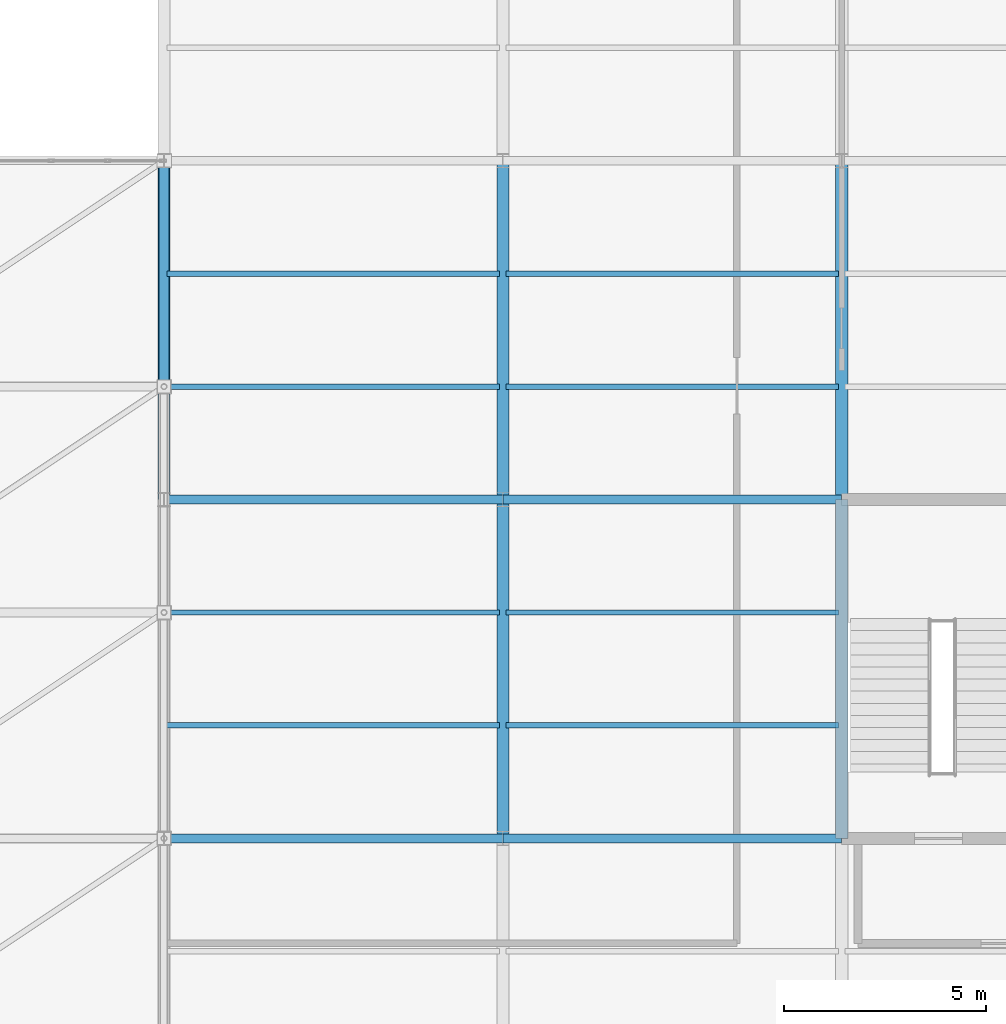
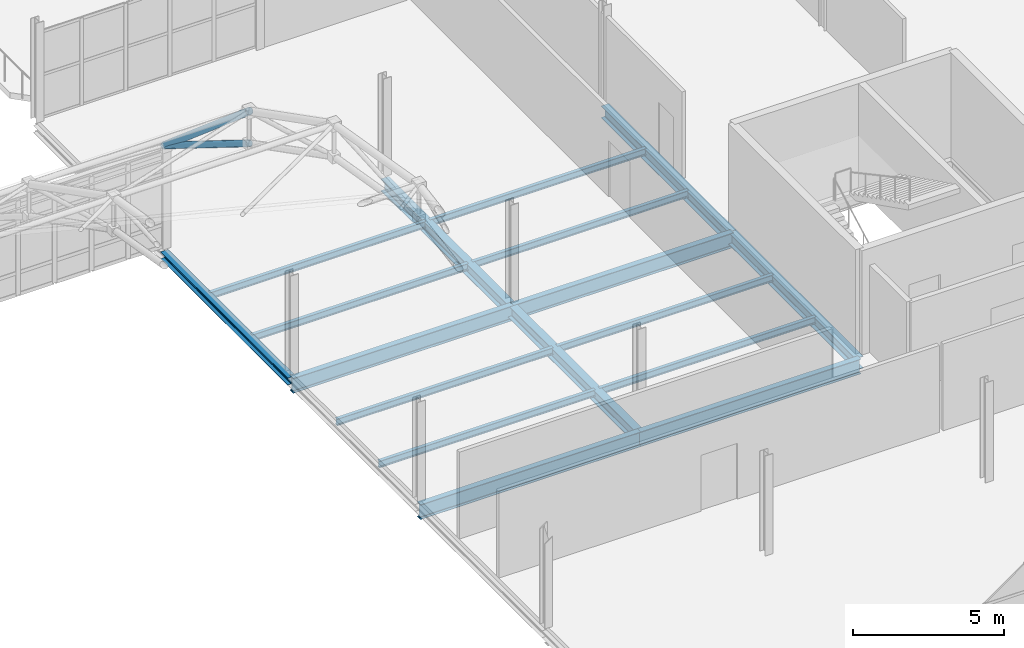
# One storey, part 93 of 184: 17 beams, 2 members.
"""IFC4 building model written with IfcOpenShell, lengths in metres."""

from ifc_helpers import new_model, si_unit, direction, frame, origin, origin_2d, place, context, subcontext, project, spatial, hollow_circle, i_section, extrude, material, material_profile, profile_set, type_object, element, save


model = new_model("IFC4")

# Units and contexts
model_context = context("Model", 3, precision=1e-05, world=origin(), true_north=direction((0.0, 1.0)))
body_context = subcontext(model_context, "Body", "Model", "MODEL_VIEW")
ifc_project = project(units=[si_unit("LENGTHUNIT", "METRE"), si_unit("AREAUNIT", "SQUARE_METRE"), si_unit("VOLUMEUNIT", "CUBIC_METRE"), si_unit("PLANEANGLEUNIT", "RADIAN"), si_unit("MASSUNIT", "GRAM", prefix="KILO")], contexts=[model_context])

# Site, building, storey
site_placement = place(None, origin())
site = spatial("IfcSite", under=ifc_project, at=site_placement, CompositionType="ELEMENT")
building_placement = place(site_placement, origin())
building = spatial("IfcBuilding", under=site, at=building_placement, Name="Qalvenar Corner Mobility Hub", CompositionType="ELEMENT")
storey_placement = place(building_placement, frame((0.0, 0.0, 9.0)))
storey = spatial("IfcBuildingStorey", under=building, at=storey_placement, Name="L02", CompositionType="ELEMENT", Elevation=9.0)

# Beams
ifc_material_1 = material(Name="Steel S355", Category="steel")
ifc_material_profile_1 = material_profile(ifc_material_1, i_section(OverallWidth=0.300048828125, OverallDepth=0.489990234375, WebThickness=0.011962890625, FlangeThickness=0.02294921875, FilletRadius=0.027099609375, at=origin_2d()), Name="HEA500")
ifc_profile_set_1 = profile_set([ifc_material_profile_1], Name="Steel S355")
beam_type_1 = type_object("IfcBeamType", Name="BM-HEA500", PredefinedType="BEAM", material=ifc_profile_set_1)
beam_1_placement = place(storey_placement, frame((117.60009765625, 16.800048828125, -0.425048828125), z_axis=(0.0, 1.0, 0.0), x_axis=(-1.0, 0.0, 0.0)))
element("IfcBeam", 1, at=beam_1_placement, inside=storey, type_object=beam_type_1, Name="Primary Steel Girder GY-1718", PredefinedType="BEAM", context=body_context, shape_type="SweptSolid", body=[
    extrude(i_section(OverallWidth=0.300048828125, OverallDepth=0.489990234375, WebThickness=0.011962890625, FlangeThickness=0.02294921875, FilletRadius=0.027099609375, at=origin_2d()), origin(), (0.0, 0.0, 1.0), 8.39990234375),
])
beam_2_placement = place(storey_placement, frame((117.60009765625, 25.199951171875, -0.425048828125), z_axis=(0.0, 1.0, 0.0), x_axis=(-1.0, 0.0, 0.0)))
element("IfcBeam", 2, at=beam_2_placement, inside=storey, type_object=beam_type_1, Name="Primary Steel Girder GY-1719", PredefinedType="BEAM", context=body_context, shape_type="SweptSolid", body=[
    extrude(i_section(OverallWidth=0.300048828125, OverallDepth=0.489990234375, WebThickness=0.011962890625, FlangeThickness=0.02294921875, FilletRadius=0.027099609375, at=origin_2d()), origin(), (0.0, 0.0, 1.0), 8.400146484375),
])
beam_3_placement = place(storey_placement, frame((126.0, 16.800048828125, -0.425048828125), z_axis=(0.0, 1.0, 0.0), x_axis=(-1.0, 0.0, 0.0)))
element("IfcBeam", 3, at=beam_3_placement, inside=storey, type_object=beam_type_1, Name="Primary Steel Girder GY-1723", PredefinedType="BEAM", context=body_context, shape_type="SweptSolid", body=[
    extrude(i_section(OverallWidth=0.300048828125, OverallDepth=0.489990234375, WebThickness=0.011962890625, FlangeThickness=0.02294921875, FilletRadius=0.027099609375, at=origin_2d()), origin(), (0.0, 0.0, 1.0), 8.39990234375),
])
beam_4_placement = place(storey_placement, frame((126.0, 25.199951171875, -0.425048828125), z_axis=(0.0, 1.0, 0.0), x_axis=(-1.0, 0.0, 0.0)))
element("IfcBeam", 4, at=beam_4_placement, inside=storey, type_object=beam_type_1, Name="Primary Steel Girder GY-1724", PredefinedType="BEAM", context=body_context, shape_type="SweptSolid", body=[
    extrude(i_section(OverallWidth=0.300048828125, OverallDepth=0.489990234375, WebThickness=0.011962890625, FlangeThickness=0.02294921875, FilletRadius=0.027099609375, at=origin_2d()), origin(), (0.0, 0.0, 1.0), 8.400146484375),
])
ifc_material_profile_2 = material_profile(ifc_material_1, i_section(OverallWidth=0.219970703125, OverallDepth=0.60009765625, WebThickness=0.011962890625, FlangeThickness=0.01904296875, FilletRadius=0.02392578125, at=origin_2d()), Name="IPE600")
ifc_profile_set_2 = profile_set([ifc_material_profile_2], Name="Steel S355")
beam_type_2 = type_object("IfcBeamType", Name="BM-IPE600", PredefinedType="BEAM", material=ifc_profile_set_2)
beam_5_placement = place(storey_placement, frame((109.199951171875, 16.800048828125, -0.47998046875), z_axis=(1.0, 0.0, 0.0), x_axis=(0.0, 1.0, 0.0)))
element("IfcBeam", 5, at=beam_5_placement, inside=storey, type_object=beam_type_2, Name="Primary Steel Girder GX-1683", PredefinedType="BEAM", context=body_context, shape_type="SweptSolid", body=[
    extrude(i_section(OverallWidth=0.219970703125, OverallDepth=0.60009765625, WebThickness=0.011962890625, FlangeThickness=0.01904296875, FilletRadius=0.02392578125, at=origin_2d()), origin(), (0.0, 0.0, 1.0), 8.400146484375),
])
beam_6_placement = place(storey_placement, frame((117.60009765625, 16.800048828125, -0.47998046875), z_axis=(1.0, 0.0, 0.0), x_axis=(0.0, 1.0, 0.0)))
element("IfcBeam", 6, at=beam_6_placement, inside=storey, type_object=beam_type_2, Name="Primary Steel Girder GX-1684", PredefinedType="BEAM", context=body_context, shape_type="SweptSolid", body=[
    extrude(i_section(OverallWidth=0.219970703125, OverallDepth=0.60009765625, WebThickness=0.011962890625, FlangeThickness=0.01904296875, FilletRadius=0.02392578125, at=origin_2d()), origin(), (0.0, 0.0, 1.0), 8.39990234375),
])
beam_7_placement = place(storey_placement, frame((109.199951171875, 25.199951171875, -0.47998046875), z_axis=(1.0, 0.0, 0.0), x_axis=(0.0, 1.0, 0.0)))
element("IfcBeam", 7, at=beam_7_placement, inside=storey, type_object=beam_type_2, Name="Primary Steel Girder GX-1690", PredefinedType="BEAM", context=body_context, shape_type="SweptSolid", body=[
    extrude(i_section(OverallWidth=0.219970703125, OverallDepth=0.60009765625, WebThickness=0.011962890625, FlangeThickness=0.01904296875, FilletRadius=0.02392578125, at=origin_2d()), origin(), (0.0, 0.0, 1.0), 8.400146484375),
])
beam_8_placement = place(storey_placement, frame((117.60009765625, 25.199951171875, -0.47998046875), z_axis=(1.0, 0.0, 0.0), x_axis=(0.0, 1.0, 0.0)))
element("IfcBeam", 8, at=beam_8_placement, inside=storey, type_object=beam_type_2, Name="Primary Steel Girder GX-1691", PredefinedType="BEAM", context=body_context, shape_type="SweptSolid", body=[
    extrude(i_section(OverallWidth=0.219970703125, OverallDepth=0.60009765625, WebThickness=0.011962890625, FlangeThickness=0.01904296875, FilletRadius=0.02392578125, at=origin_2d()), origin(), (0.0, 0.0, 1.0), 8.39990234375),
])
ifc_material_profile_3 = material_profile(ifc_material_1, i_section(OverallWidth=0.135009765625, OverallDepth=0.27001953125, WebThickness=0.006591796875, FlangeThickness=0.01025390625, FilletRadius=0.014892578125, at=origin_2d()), Name="IPE270")
ifc_profile_set_3 = profile_set([ifc_material_profile_3], Name="Steel S355")
beam_type_3 = type_object("IfcBeamType", Name="BM-JST270", PredefinedType="JOIST", material=ifc_profile_set_3)
for number, where, z_axis, x_axis, name in (
    (9, (109.278076171875, 19.60009765625, -0.31494140625), (1.0, 0.0, 0.0), (0.0, 1.0, 0.0), "Composite Floor Joist J-1755"),
    (10, (109.278076171875, 22.39990234375, -0.31494140625), (1.0, 0.0, 0.0), (0.0, 1.0, 0.0), "Composite Floor Joist J-1756"),
    (11, (109.278076171875, 28.0, -0.31494140625), (1.0, 0.0, 0.0), (0.0, 1.0, 0.0), "Composite Floor Joist J-1757"),
    (12, (109.278076171875, 30.800048828125, -0.31494140625), (1.0, 0.0, 0.0), (0.0, 1.0, 0.0), "Composite Floor Joist J-1758"),
):
    element("IfcBeam", number, at=place(storey_placement, frame(where, z_axis=z_axis, x_axis=x_axis)), inside=storey, type_object=beam_type_3, Name=name, PredefinedType="JOIST", context=body_context, shape_type="SweptSolid", body=[
        extrude(i_section(OverallWidth=0.135009765625, OverallDepth=0.27001953125, WebThickness=0.006591796875, FlangeThickness=0.01025390625, FilletRadius=0.014892578125, at=origin_2d()), origin(), (0.0, 0.0, 1.0), 8.243896484375),
    ])
for number, where, z_axis, x_axis, name in (
    (13, (117.677978515625, 19.60009765625, -0.31494140625), (1.0, 0.0, 0.0), (0.0, 1.0, 0.0), "Composite Floor Joist J-1765"),
    (14, (117.677978515625, 22.39990234375, -0.31494140625), (1.0, 0.0, 0.0), (0.0, 1.0, 0.0), "Composite Floor Joist J-1766"),
    (15, (117.677978515625, 28.0, -0.31494140625), (1.0, 0.0, 0.0), (0.0, 1.0, 0.0), "Composite Floor Joist J-1767"),
    (16, (117.677978515625, 30.800048828125, -0.31494140625), (1.0, 0.0, 0.0), (0.0, 1.0, 0.0), "Composite Floor Joist J-1768"),
):
    element("IfcBeam", number, at=place(storey_placement, frame(where, z_axis=z_axis, x_axis=x_axis)), inside=storey, type_object=beam_type_3, Name=name, PredefinedType="JOIST", context=body_context, shape_type="SweptSolid", body=[
        extrude(i_section(OverallWidth=0.135009765625, OverallDepth=0.27001953125, WebThickness=0.006591796875, FlangeThickness=0.01025390625, FilletRadius=0.014892578125, at=origin_2d()), origin(), (0.0, 0.0, 1.0), 8.244140625),
    ])
ifc_material_profile_4 = material_profile(ifc_material_1, i_section(OverallWidth=0.300048828125, OverallDepth=0.2900390625, WebThickness=0.008544921875, FlangeThickness=0.013916015625, FilletRadius=0.027099609375, at=origin_2d()), Name="HEA300")
ifc_profile_set_4 = profile_set([ifc_material_profile_4], Name="Steel S355")
beam_type_4 = type_object("IfcBeamType", Name="BM-SPN300", PredefinedType="SPANDREL", material=ifc_profile_set_4)
beam_9_placement = place(storey_placement, frame((109.199951171875, 25.199951171875, -0.324951171875), z_axis=(0.0, 1.0, 0.0), x_axis=(-1.0, 0.0, 0.0)))
element("IfcBeam", 17, at=beam_9_placement, inside=storey, type_object=beam_type_4, Name="Primary Steel Girder GY-1714", PredefinedType="SPANDREL", context=body_context, shape_type="SweptSolid", body=[
    extrude(i_section(OverallWidth=0.300048828125, OverallDepth=0.2900390625, WebThickness=0.008544921875, FlangeThickness=0.013916015625, FilletRadius=0.027099609375, at=origin_2d()), origin(), (0.0, 0.0, 1.0), 8.400146484375),
])

# Members
ifc_material_2 = material(Name="Steel S355", Category="steel")
ifc_material_profile_5 = material_profile(ifc_material_2, hollow_circle(Radius=0.122314453125, WallThickness=0.0087890625, at=origin_2d()), Name="CHS244.5x8.8")
ifc_profile_set_5 = profile_set([ifc_material_profile_5], Name="Steel S355")
member_type_1 = type_object("IfcMemberType", Name="SF-CHD244", PredefinedType="CHORD", material=ifc_profile_set_5)
member_1_placement = place(storey_placement, frame((109.199951171875, 28.0, 7.537841796875), z_axis=(0.0, 0.849513681623, -0.527566587964), x_axis=(-1.0, 0.0, 0.0)))
element("IfcMember", 18, at=member_1_placement, inside=storey, type_object=member_type_1, Name="Space Frame Bottom Chord SFBC-0163", PredefinedType="CHORD", context=body_context, shape_type="SweptSolid", body=[
    extrude(hollow_circle(Radius=0.122314453125, WallThickness=0.0087890625, at=origin_2d()), origin(), (0.0, 0.0, 1.0), 6.592041015625),
])
ifc_material_profile_6 = material_profile(ifc_material_2, hollow_circle(Radius=0.136474609375, WallThickness=0.010009765625, at=origin_2d()), Name="CHS273x10")
ifc_profile_set_6 = profile_set([ifc_material_profile_6], Name="Steel S355")
member_type_2 = type_object("IfcMemberType", Name="SF-CHD273", PredefinedType="CHORD", material=ifc_profile_set_6)
member_2_placement = place(storey_placement, frame((109.199951171875, 28.0, 8.837890625), z_axis=(0.0, 0.760748216799, -0.64904710972), x_axis=(-1.0, 0.0, 0.0)))
element("IfcMember", 19, at=member_2_placement, inside=storey, type_object=member_type_2, Name="Space Frame Top Chord SFTC-0162", PredefinedType="CHORD", context=body_context, shape_type="SweptSolid", body=[
    extrude(hollow_circle(Radius=0.136474609375, WallThickness=0.010009765625, at=origin_2d()), origin(), (0.0, 0.0, 1.0), 7.361328125),
])

save(model, "model.ifc")
